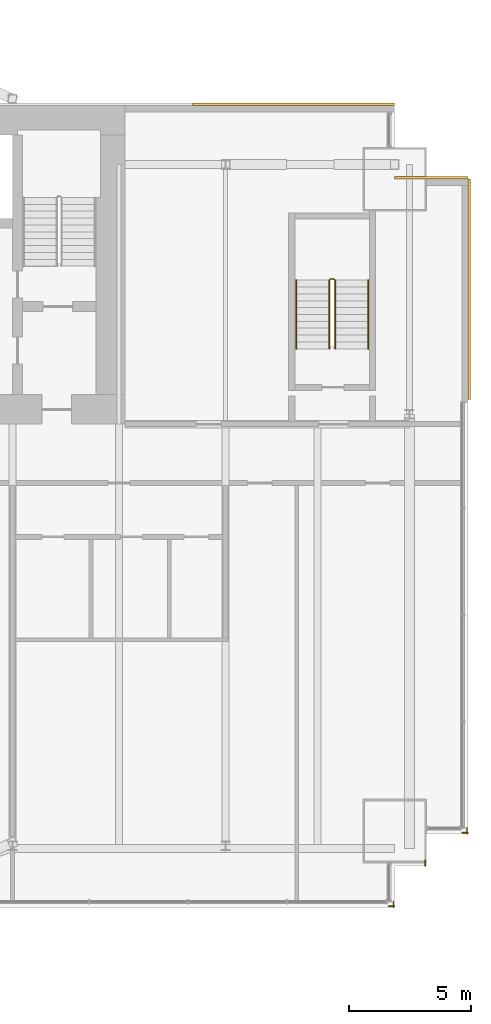
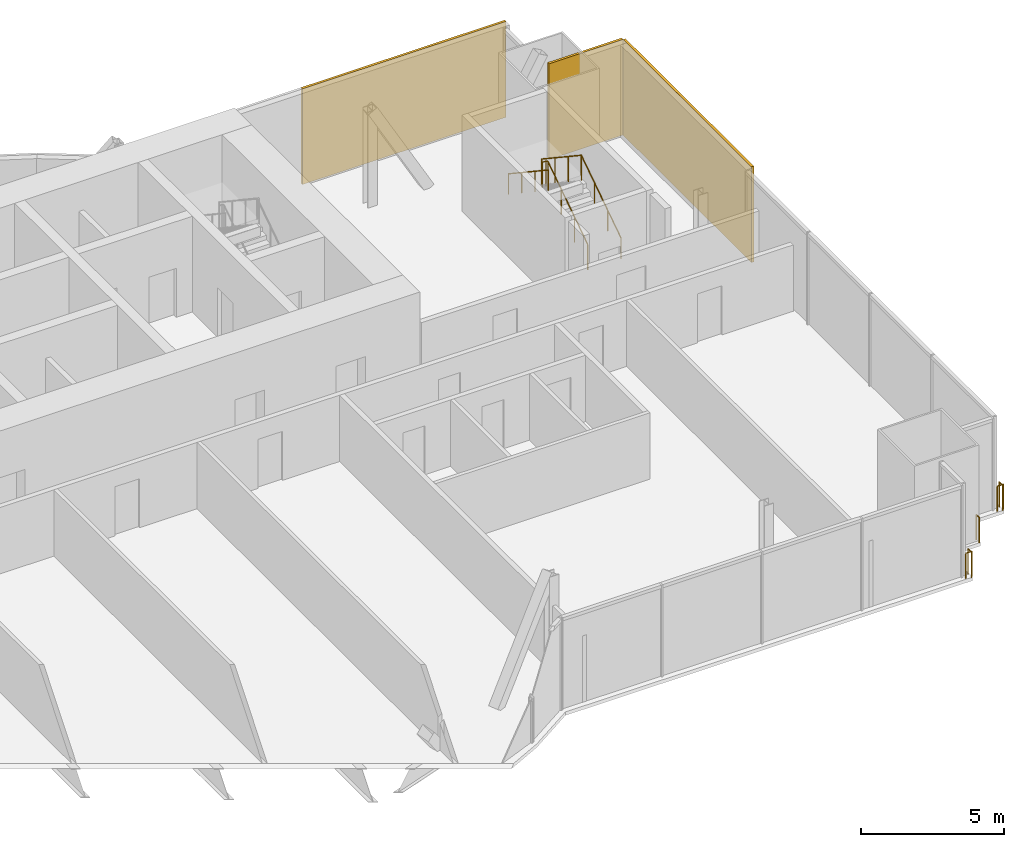
# One storey, part 20 of 20: 6 railings, 3 coverings.
"""IFC4 building model written with IfcOpenShell, lengths in metres."""

from ifc_helpers import new_model, si_unit, direction, frame, origin, origin_2d, place, context, subcontext, project, spatial, rectangle, circle, extrude, material, layer, layer_set, type_object, element, save


model = new_model("IFC4")

# Units and contexts
model_context = context("Model", 3, precision=1e-05, world=origin(), true_north=direction((0.0, 1.0)))
body_context = subcontext(model_context, "Body", "Model", "MODEL_VIEW")
ifc_project = project(units=[si_unit("LENGTHUNIT", "METRE"), si_unit("AREAUNIT", "SQUARE_METRE"), si_unit("VOLUMEUNIT", "CUBIC_METRE"), si_unit("PLANEANGLEUNIT", "RADIAN"), si_unit("MASSUNIT", "GRAM", prefix="KILO")], contexts=[model_context])

# Site, building, storey
site_placement = place(None, origin())
site = spatial("IfcSite", under=ifc_project, at=site_placement, CompositionType="ELEMENT")
building_placement = place(site_placement, origin())
building = spatial("IfcBuilding", under=site, at=building_placement, Name="Bicima Exchange Tower", CompositionType="ELEMENT")
storey_placement = place(building_placement, frame((0.0, 0.0, 199.10009765625)))
storey = spatial("IfcBuildingStorey", under=building, at=storey_placement, Name="L44", CompositionType="ELEMENT", Elevation=199.10009765625)

# Coverings
ifc_material_1 = material(Name="Bronze metal cladding")
ifc_layer_1 = layer(ifc_material_1, 0.004)
ifc_material_2 = material(Name="Ventilated cavity")
ifc_layer_2 = layer(ifc_material_2, 0.06)
ifc_material_3 = material(Name="Galvanised steel rail and mineral wool", Category="steel")
ifc_layer_3 = layer(ifc_material_3, 0.036)
ifc_layer_set = layer_set([ifc_layer_1, ifc_layer_2, ifc_layer_3], Name="Ventilated cavity")
covering_type = type_object("IfcCoveringType", Name="Bronze metal cladding panel 100", PredefinedType="CLADDING", material=ifc_layer_set)
covering_1_placement = place(storey_placement, frame((28.875, 0.050048828125, -0.150146484375), z_axis=(0.0, 0.0, 1.0), x_axis=(-1.0, 0.0, 0.0)))
element("IfcCovering", 1, at=covering_1_placement, inside=storey, type_object=covering_type, Name="Bronze cladding L44 1.1", PredefinedType="CLADDING", context=body_context, shape_type="SweptSolid", body=[
    extrude(rectangle(XDim=8.25, YDim=0.10009765625, at=origin_2d()), origin(), (0.0, 0.0, 1.0), 4.10009765625),
])
covering_2_placement = place(storey_placement, frame((36.050048828125, -7.5, -0.150146484375), z_axis=(0.0, 0.0, 1.0), x_axis=(0.0, 1.0, 0.0)))
element("IfcCovering", 2, at=covering_2_placement, inside=storey, type_object=covering_type, Name="Bronze cladding L44 50.1", PredefinedType="CLADDING", context=body_context, shape_type="SweptSolid", body=[
    extrude(rectangle(XDim=9.0, YDim=0.10009765625, at=origin_2d()), origin(), (0.0, 0.0, 1.0), 4.10009765625),
])
covering_3_placement = place(storey_placement, frame((34.5, -2.949951171875, -0.150146484375), z_axis=(0.0, 0.0, 1.0), x_axis=(-1.0, 0.0, 0.0)))
element("IfcCovering", 3, at=covering_3_placement, inside=storey, type_object=covering_type, Name="Bronze cladding L44 51.1", PredefinedType="CLADDING", context=body_context, shape_type="SweptSolid", body=[
    extrude(rectangle(XDim=3.0, YDim=0.10009765625, at=origin_2d()), origin(), (0.0, 0.0, 1.0), 4.10009765625),
])

# Railings
ifc_material_4 = material(Name="Stainless steel and bonded safety glass", Category="steel")
railing_type_1 = type_object("IfcRailingType", Name="Edge guard 1100", PredefinedType="GUARDRAIL", material=ifc_material_4)
railing_1_placement = place(storey_placement, frame((35.949951171875, -29.47802734375, 0.0)))
element("IfcRailing", 4, at=railing_1_placement, inside=storey, type_object=railing_type_1, Name="Edge guard L44 220", PredefinedType="GUARDRAIL", context=body_context, shape_type="SweptSolid", body=[
    extrude(circle(Radius=0.02392578125, at=origin_2d()), frame((0.0, 0.0, 1.076171875), z_axis=(0.0, -1.0, 0.0), x_axis=(1.0, 0.0, 0.0)), (0.0, 0.0, 1.0), 0.25),
    extrude(circle(Radius=0.02392578125, at=origin_2d()), frame((0.0, -0.25, 1.076171875), z_axis=(0.707106781187, 0.707106781187, 0.0), x_axis=(-0.707106781187, 0.707106781187, 0.0)), (0.0, 0.0, 1.0), 0.07080078125),
    extrude(circle(Radius=0.02392578125, at=origin_2d()), frame((0.050048828125, -0.199951171875, 1.076171875), z_axis=(-1.0, 0.0, 0.0), x_axis=(0.0, -1.0, 0.0)), (0.0, 0.0, 1.0), 0.242919921875),
    extrude(circle(Radius=0.02099609375, at=origin_2d()), origin(), (0.0, 0.0, 1.0), 1.052001953125),
    extrude(circle(Radius=0.02099609375, at=origin_2d()), frame((0.0, -0.25, 0.0)), (0.0, 0.0, 1.0), 1.052001953125),
    extrude(circle(Radius=0.02099609375, at=origin_2d()), frame((0.050048828125, -0.199951171875, 0.0)), (0.0, 0.0, 1.0), 1.052001953125),
    extrude(circle(Radius=0.02099609375, at=origin_2d()), frame((-0.19287109375, -0.199951171875, 0.0)), (0.0, 0.0, 1.0), 1.052001953125),
])
railing_2_placement = place(storey_placement, frame((34.25, -30.81103515625, 0.0)))
element("IfcRailing", 5, at=railing_2_placement, inside=storey, type_object=railing_type_1, Name="Edge guard L44 221", PredefinedType="GUARDRAIL", context=body_context, shape_type="SweptSolid", body=[
    extrude(circle(Radius=0.02392578125, at=origin_2d()), frame((0.0, 0.0, 1.076171875), z_axis=(0.0, -1.0, 0.0), x_axis=(1.0, 0.0, 0.0)), (0.0, 0.0, 1.0), 0.217041015625),
    extrude(circle(Radius=0.02099609375, at=origin_2d()), origin(), (0.0, 0.0, 1.0), 1.052001953125),
    extrude(circle(Radius=0.02099609375, at=origin_2d()), frame((0.0, -0.217041015625, 0.0)), (0.0, 0.0, 1.0), 1.052001953125),
])
railing_3_placement = place(storey_placement, frame((32.949951171875, -32.485107421875, 0.0)))
element("IfcRailing", 6, at=railing_3_placement, inside=storey, type_object=railing_type_1, Name="Edge guard L44 222", PredefinedType="GUARDRAIL", context=body_context, shape_type="SweptSolid", body=[
    extrude(circle(Radius=0.02392578125, at=origin_2d()), frame((0.0, 0.0, 1.076171875), z_axis=(0.0, -1.0, 0.0), x_axis=(1.0, 0.0, 0.0)), (0.0, 0.0, 1.0), 0.242919921875),
    extrude(circle(Radius=0.02392578125, at=origin_2d()), frame((0.0, -0.242919921875, 1.076171875), z_axis=(0.707106781187, 0.707106781187, 0.0), x_axis=(-0.707106781187, 0.707106781187, 0.0)), (0.0, 0.0, 1.0), 0.07080078125),
    extrude(circle(Radius=0.02392578125, at=origin_2d()), frame((0.050048828125, -0.19287109375, 1.076171875), z_axis=(-1.0, 0.0, 0.0), x_axis=(0.0, -1.0, 0.0)), (0.0, 0.0, 1.0), 0.25),
    extrude(circle(Radius=0.02099609375, at=origin_2d()), origin(), (0.0, 0.0, 1.0), 1.052001953125),
    extrude(circle(Radius=0.02099609375, at=origin_2d()), frame((0.0, -0.242919921875, 0.0)), (0.0, 0.0, 1.0), 1.052001953125),
    extrude(circle(Radius=0.02099609375, at=origin_2d()), frame((0.050048828125, -0.19287109375, 0.0)), (0.0, 0.0, 1.0), 1.052001953125),
    extrude(circle(Radius=0.02099609375, at=origin_2d()), frame((-0.199951171875, -0.19287109375, 0.0)), (0.0, 0.0, 1.0), 1.052001953125),
])
ifc_material_5 = material(Name="Stainless steel", Category="steel")
railing_type_2 = type_object("IfcRailingType", Name="Stair guard 1100", PredefinedType="GUARDRAIL", material=ifc_material_5)
railing_4_placement = place(storey_placement, frame((30.574951171875, -9.925048828125, 0.186279296875)))
element("IfcRailing", 7, at=railing_4_placement, inside=storey, type_object=railing_type_2, Name="L44 ST-EE stair guard 1", PredefinedType="GUARDRAIL", context=body_context, shape_type="SweptSolid", body=[
    extrude(circle(Radius=0.02392578125, at=origin_2d()), frame((0.0, 0.0, 1.076171875), z_axis=(0.0, 0.832485552168, 0.554046753832), x_axis=(-1.0, 0.0, 0.0)), (0.0, 0.0, 1.0), 3.363525390625),
    extrude(circle(Radius=0.02392578125, at=origin_2d()), frame((0.0, 2.800048828125, 2.939453125), z_axis=(-0.707106781187, 0.707106781187, 0.0), x_axis=(-0.707106781187, -0.707106781187, 0.0)), (0.0, 0.0, 1.0), 0.07080078125),
    extrude(circle(Radius=0.02392578125, at=origin_2d()), frame((-0.050048828125, 2.85009765625, 2.939453125), z_axis=(-1.0, 0.0, 0.0), x_axis=(0.0, -1.0, 0.0)), (0.0, 0.0, 1.0), 0.14990234375),
    extrude(circle(Radius=0.02392578125, at=origin_2d()), frame((-0.199951171875, 2.85009765625, 2.939453125), z_axis=(-0.250869701741, -0.250869701741, 0.934948546978), x_axis=(0.707106781187, -0.707106781187, 0.0)), (0.0, 0.0, 1.0), 0.199462890625),
    extrude(circle(Radius=0.02392578125, at=origin_2d()), frame((-0.25, 2.800048828125, 3.1259765625), z_axis=(0.0, -0.832485552168, 0.554046753832), x_axis=(1.0, 0.0, 0.0)), (0.0, 0.0, 1.0), 3.363525390625),
    extrude(circle(Radius=0.02099609375, at=origin_2d()), origin(), (0.0, 0.0, 1.0), 1.052001953125),
    extrude(circle(Radius=0.02099609375, at=origin_2d()), frame((0.0, 0.933349609375, 0.62109375)), (0.0, 0.0, 1.0), 1.052001953125),
    extrude(circle(Radius=0.02099609375, at=origin_2d()), frame((0.0, 1.86669921875, 1.242431640625)), (0.0, 0.0, 1.0), 1.052001953125),
    extrude(circle(Radius=0.02099609375, at=origin_2d()), frame((0.0, 2.800048828125, 1.863525390625)), (0.0, 0.0, 1.0), 1.052001953125),
    extrude(circle(Radius=0.02099609375, at=origin_2d()), frame((-0.050048828125, 2.85009765625, 1.863525390625)), (0.0, 0.0, 1.0), 1.052001953125),
    extrude(circle(Radius=0.02099609375, at=origin_2d()), frame((-0.199951171875, 2.85009765625, 1.863525390625)), (0.0, 0.0, 1.0), 1.052001953125),
    extrude(circle(Radius=0.02099609375, at=origin_2d()), frame((-0.25, 2.800048828125, 2.050048828125)), (0.0, 0.0, 1.0), 1.052001953125),
    extrude(circle(Radius=0.02099609375, at=origin_2d()), frame((-0.25, 1.86669921875, 2.671142578125)), (0.0, 0.0, 1.0), 1.052001953125),
    extrude(circle(Radius=0.02099609375, at=origin_2d()), frame((-0.25, 0.933349609375, 3.29248046875)), (0.0, 0.0, 1.0), 1.052001953125),
    extrude(circle(Radius=0.02099609375, at=origin_2d()), frame((-0.25, 0.0, 3.91357421875)), (0.0, 0.0, 1.0), 1.052001953125),
])
railing_type_3 = type_object("IfcRailingType", Name="Stair handrail 900", PredefinedType="HANDRAIL", material=ifc_material_5)
railing_5_placement = place(storey_placement, frame((31.925048828125, -9.925048828125, 0.186279296875)))
element("IfcRailing", 8, at=railing_5_placement, inside=storey, type_object=railing_type_3, Name="L44 ST-EE stair handrail 1", PredefinedType="HANDRAIL", context=body_context, shape_type="SweptSolid", body=[
    extrude(circle(Radius=0.02392578125, at=origin_2d()), frame((0.0, 0.0, 0.8759765625), z_axis=(0.0, 0.832485552168, 0.554046753832), x_axis=(-1.0, 0.0, 0.0)), (0.0, 0.0, 1.0), 3.363525390625),
    extrude(circle(Radius=0.02099609375, at=origin_2d()), origin(), (0.0, 0.0, 1.0), 0.851806640625),
    extrude(circle(Radius=0.02099609375, at=origin_2d()), frame((0.0, 0.933349609375, 0.62109375)), (0.0, 0.0, 1.0), 0.851806640625),
    extrude(circle(Radius=0.02099609375, at=origin_2d()), frame((0.0, 1.86669921875, 1.242431640625)), (0.0, 0.0, 1.0), 0.851806640625),
    extrude(circle(Radius=0.02099609375, at=origin_2d()), frame((0.0, 2.800048828125, 1.863525390625)), (0.0, 0.0, 1.0), 0.851806640625),
])
railing_6_placement = place(storey_placement, frame((28.97509765625, -7.125, 2.276611328125)))
element("IfcRailing", 9, at=railing_6_placement, inside=storey, type_object=railing_type_3, Name="L44 ST-EE stair handrail 2", PredefinedType="HANDRAIL", context=body_context, shape_type="SweptSolid", body=[
    extrude(circle(Radius=0.02392578125, at=origin_2d()), frame((0.0, 0.0, 0.8759765625), z_axis=(0.0, -0.832452072856, 0.554097055034), x_axis=(1.0, 0.0, 0.0)), (0.0, 0.0, 1.0), 3.363525390625),
    extrude(circle(Radius=0.02099609375, at=origin_2d()), origin(), (0.0, 0.0, 1.0), 0.851806640625),
    extrude(circle(Radius=0.02099609375, at=origin_2d()), frame((0.0, -0.933349609375, 0.621337890625)), (0.0, 0.0, 1.0), 0.851806640625),
    extrude(circle(Radius=0.02099609375, at=origin_2d()), frame((0.0, -1.86669921875, 1.242431640625)), (0.0, 0.0, 1.0), 0.851806640625),
    extrude(circle(Radius=0.02099609375, at=origin_2d()), frame((0.0, -2.800048828125, 1.86376953125)), (0.0, 0.0, 1.0), 0.851806640625),
])

save(model, "model.ifc")
